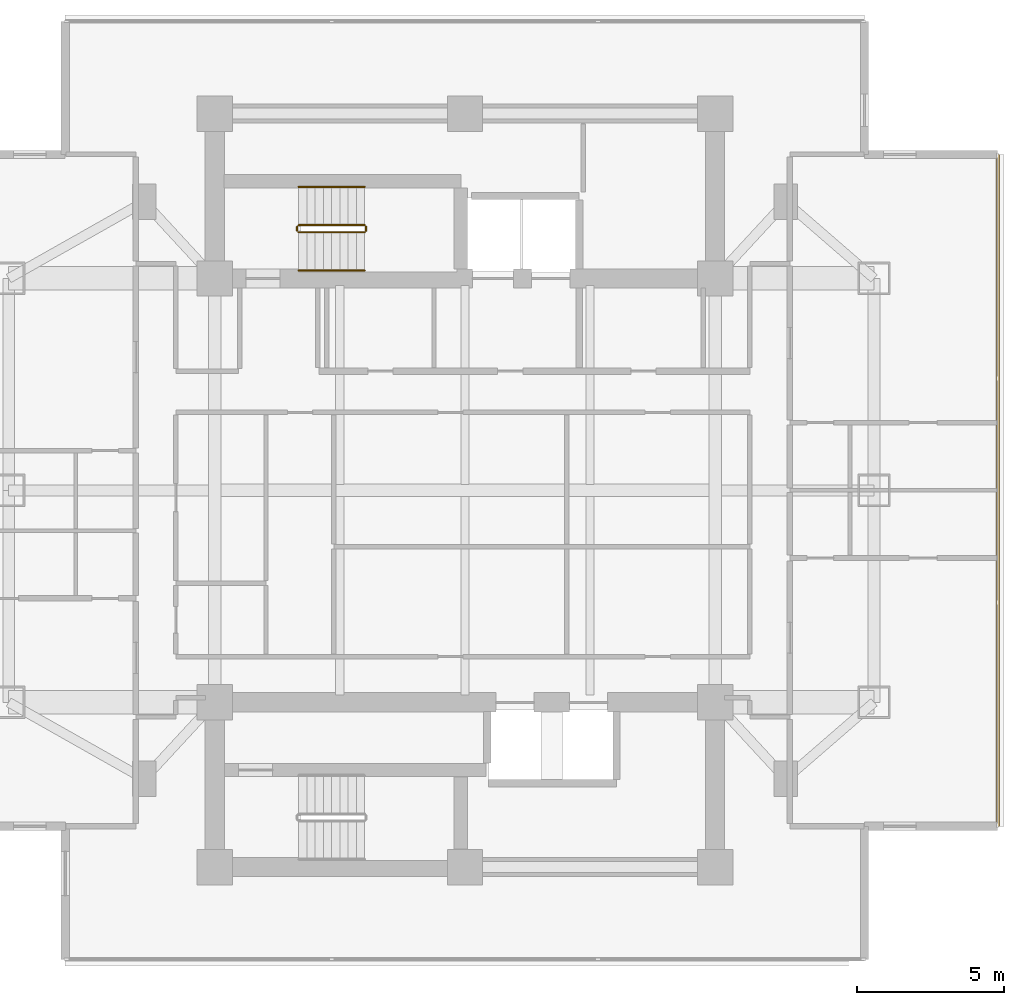
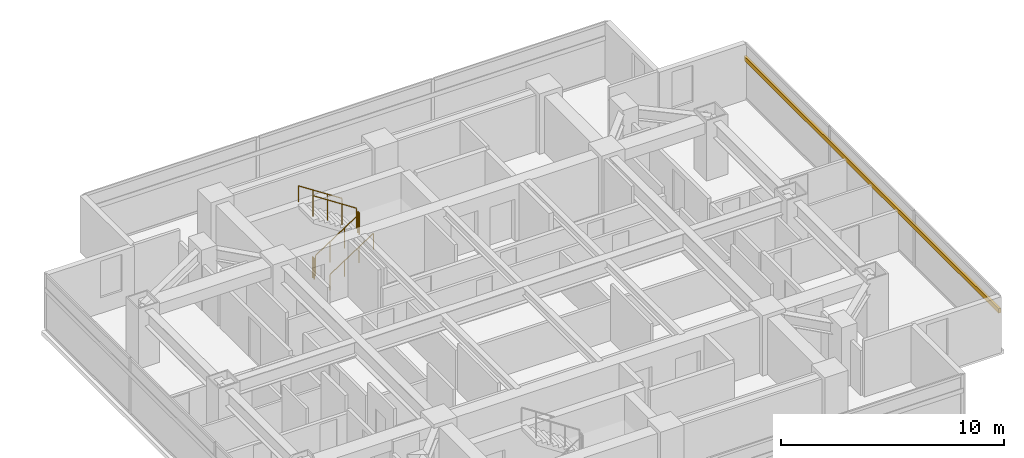
# One storey, part 23 of 24: 6 railings, 1 shading device.
"""IFC4 building model written with IfcOpenShell, lengths in metres."""

from ifc_helpers import new_model, si_unit, direction, frame, origin, origin_2d, place, context, subcontext, project, spatial, rectangle, circle, extrude, material, material_profile, profile_set, type_object, element, save


model = new_model("IFC4")

# Units and contexts
model_context = context("Model", 3, precision=1e-05, world=origin(), true_north=direction((0.0, 1.0)))
body_context = subcontext(model_context, "Body", "Model", "MODEL_VIEW")
ifc_project = project(units=[si_unit("LENGTHUNIT", "METRE"), si_unit("AREAUNIT", "SQUARE_METRE"), si_unit("VOLUMEUNIT", "CUBIC_METRE"), si_unit("PLANEANGLEUNIT", "RADIAN"), si_unit("MASSUNIT", "GRAM", prefix="KILO")], contexts=[model_context])

# Site, building, storey
site_placement = place(None, origin())
site = spatial("IfcSite", under=ifc_project, at=site_placement, CompositionType="ELEMENT")
building_placement = place(site_placement, origin())
building = spatial("IfcBuilding", under=site, at=building_placement, Name="Mirazonda Arch Towers", CompositionType="ELEMENT")
storey_placement = place(building_placement, frame((0.0, 0.0, 101.60009765625)))
storey = spatial("IfcBuildingStorey", under=building, at=storey_placement, Name="L28", CompositionType="ELEMENT", Elevation=101.60009765625)

# Shading device
ifc_material_1 = material(Name="Kiln-Fired Architectural Terracotta", Category="masonry")
ifc_material_profile = material_profile(ifc_material_1, rectangle(XDim=0.1201171875, YDim=0.239990234375, at=origin_2d()), Name="TERRA-BAG-120x240")
ifc_profile_set = profile_set([ifc_material_profile], Name="Kiln-Fired Architectural Terracotta")
shading_device_type = type_object("IfcShadingDeviceType", Name="BAGUETTE-1", PredefinedType="USERDEFINED", material=ifc_profile_set)
shading_device_placement = place(storey_placement, frame((94.594482421875, 16.585693359375, 2.203125), z_axis=(0.0, 1.0, 0.0), x_axis=(-1.0, 0.0, 0.0)))
element("IfcShadingDevice", 1, at=shading_device_placement, inside=storey, type_object=shading_device_type, Name="L28 Glazed Terracotta Sun-Screen Baguette CW-L28-T2-E", ObjectType="BAGUETTE", PredefinedType="USERDEFINED", context=body_context, shape_type="SweptSolid", body=[
    extrude(rectangle(XDim=0.1201171875, YDim=0.239990234375, at=origin_2d()), origin(), (0.0, 0.0, 1.0), 22.82861328125),
])

# Railings
ifc_material_2 = material(Name="Architectural Brushed Steel S355", Category="steel")
railing_type_1 = type_object("IfcRailingType", Name="GUARD-STAIR-1120", PredefinedType="GUARDRAIL", material=ifc_material_2)
railing_1_placement = place(storey_placement, frame((70.85009765625, 36.77001953125, 0.183349609375)))
element("IfcRailing", 2, at=railing_1_placement, inside=storey, type_object=railing_type_1, Name="L28 ST-T2N stair guard 1", PredefinedType="GUARDRAIL", context=body_context, shape_type="SweptSolid", body=[
    extrude(circle(Radius=0.02392578125, at=origin_2d()), frame((0.0, 0.0, 1.1259765625), z_axis=(0.836636935527, 0.0, 0.547757827979), x_axis=(0.0, 1.0, 0.0)), (0.0, 0.0, 1.0), 2.677490234375),
    extrude(circle(Radius=0.02099609375, at=origin_2d()), origin(), (0.0, 0.0, 1.0), 1.101806640625),
    extrude(circle(Radius=0.02099609375, at=origin_2d()), frame((0.74658203125, 0.0, 0.48876953125)), (0.0, 0.0, 1.0), 1.101806640625),
    extrude(circle(Radius=0.02099609375, at=origin_2d()), frame((1.493408203125, 0.0, 0.977783203125)), (0.0, 0.0, 1.0), 1.101806640625),
    extrude(circle(Radius=0.02099609375, at=origin_2d()), frame((2.239990234375, 0.0, 1.466552734375)), (0.0, 0.0, 1.0), 1.101806640625),
])
railing_2_placement = place(storey_placement, frame((73.139892578125, 36.820068359375, 1.64990234375)))
element("IfcRailing", 3, at=railing_2_placement, inside=storey, type_object=railing_type_1, Name="L28 ST-T2N stair guard 2", PredefinedType="GUARDRAIL", context=body_context, shape_type="SweptSolid", body=[
    extrude(circle(Radius=0.02392578125, at=origin_2d()), frame((0.0, 0.0, 1.1259765625), z_axis=(0.0, 1.0, 0.0), x_axis=(-1.0, 0.0, 0.0)), (0.0, 0.0, 1.0), 0.139892578125),
    extrude(circle(Radius=0.02099609375, at=origin_2d()), origin(), (0.0, 0.0, 1.0), 1.101806640625),
    extrude(circle(Radius=0.02099609375, at=origin_2d()), frame((0.0, 0.139892578125, 0.0)), (0.0, 0.0, 1.0), 1.101806640625),
])
railing_3_placement = place(storey_placement, frame((73.090087890625, 37.010009765625, 1.833251953125)))
element("IfcRailing", 4, at=railing_3_placement, inside=storey, type_object=railing_type_1, Name="L28 ST-T2N stair guard 3", PredefinedType="GUARDRAIL", context=body_context, shape_type="SweptSolid", body=[
    extrude(circle(Radius=0.02392578125, at=origin_2d()), frame((0.0, 0.0, 1.1259765625), z_axis=(-0.836636935527, 0.0, 0.547757827979), x_axis=(0.0, -1.0, 0.0)), (0.0, 0.0, 1.0), 2.677490234375),
    extrude(circle(Radius=0.02099609375, at=origin_2d()), origin(), (0.0, 0.0, 1.0), 1.101806640625),
    extrude(circle(Radius=0.02099609375, at=origin_2d()), frame((-0.74658203125, 0.0, 0.48876953125)), (0.0, 0.0, 1.0), 1.101806640625),
    extrude(circle(Radius=0.02099609375, at=origin_2d()), frame((-1.493408203125, 0.0, 0.977783203125)), (0.0, 0.0, 1.0), 1.101806640625),
    extrude(circle(Radius=0.02099609375, at=origin_2d()), frame((-2.239990234375, 0.0, 1.466552734375)), (0.0, 0.0, 1.0), 1.101806640625),
])
railing_4_placement = place(storey_placement, frame((70.800048828125, 36.820068359375, 0.0)))
element("IfcRailing", 5, at=railing_4_placement, inside=storey, type_object=railing_type_1, Name="L28 ST-T2N stair guard 4", PredefinedType="GUARDRAIL", context=body_context, shape_type="SweptSolid", body=[
    extrude(circle(Radius=0.02392578125, at=origin_2d()), frame((0.0, 0.0, 1.1259765625), z_axis=(0.0, 1.0, 0.0), x_axis=(-1.0, 0.0, 0.0)), (0.0, 0.0, 1.0), 0.139892578125),
    extrude(circle(Radius=0.02099609375, at=origin_2d()), origin(), (0.0, 0.0, 1.0), 1.101806640625),
    extrude(circle(Radius=0.02099609375, at=origin_2d()), frame((0.0, 0.139892578125, 0.0)), (0.0, 0.0, 1.0), 1.101806640625),
])
railing_type_2 = type_object("IfcRailingType", Name="HANDRAIL-915", PredefinedType="HANDRAIL", material=ifc_material_2)
railing_5_placement = place(storey_placement, frame((70.85009765625, 35.469970703125, 0.183349609375)))
element("IfcRailing", 6, at=railing_5_placement, inside=storey, type_object=railing_type_2, Name="L28 ST-T2N stair handrail 1", PredefinedType="HANDRAIL", context=body_context, shape_type="SweptSolid", body=[
    extrude(circle(Radius=0.02392578125, at=origin_2d()), frame((0.0, 0.0, 0.8759765625), z_axis=(0.836636935527, 0.0, 0.547757827979), x_axis=(0.0, 1.0, 0.0)), (0.0, 0.0, 1.0), 2.677490234375),
    extrude(circle(Radius=0.02099609375, at=origin_2d()), origin(), (0.0, 0.0, 1.0), 0.851806640625),
    extrude(circle(Radius=0.02099609375, at=origin_2d()), frame((0.74658203125, 0.0, 0.48876953125)), (0.0, 0.0, 1.0), 0.851806640625),
    extrude(circle(Radius=0.02099609375, at=origin_2d()), frame((1.493408203125, 0.0, 0.977783203125)), (0.0, 0.0, 1.0), 0.851806640625),
    extrude(circle(Radius=0.02099609375, at=origin_2d()), frame((2.239990234375, 0.0, 1.466552734375)), (0.0, 0.0, 1.0), 0.851806640625),
])
railing_6_placement = place(storey_placement, frame((73.090087890625, 38.31005859375, 1.833251953125)))
element("IfcRailing", 7, at=railing_6_placement, inside=storey, type_object=railing_type_2, Name="L28 ST-T2N stair handrail 2", PredefinedType="HANDRAIL", context=body_context, shape_type="SweptSolid", body=[
    extrude(circle(Radius=0.02392578125, at=origin_2d()), frame((0.0, 0.0, 0.8759765625), z_axis=(-0.836636935527, 0.0, 0.547757827979), x_axis=(0.0, -1.0, 0.0)), (0.0, 0.0, 1.0), 2.677490234375),
    extrude(circle(Radius=0.02099609375, at=origin_2d()), origin(), (0.0, 0.0, 1.0), 0.851806640625),
    extrude(circle(Radius=0.02099609375, at=origin_2d()), frame((-0.74658203125, 0.0, 0.48876953125)), (0.0, 0.0, 1.0), 0.851806640625),
    extrude(circle(Radius=0.02099609375, at=origin_2d()), frame((-1.493408203125, 0.0, 0.977783203125)), (0.0, 0.0, 1.0), 0.851806640625),
    extrude(circle(Radius=0.02099609375, at=origin_2d()), frame((-2.239990234375, 0.0, 1.466552734375)), (0.0, 0.0, 1.0), 0.851806640625),
])

save(model, "model.ifc")
